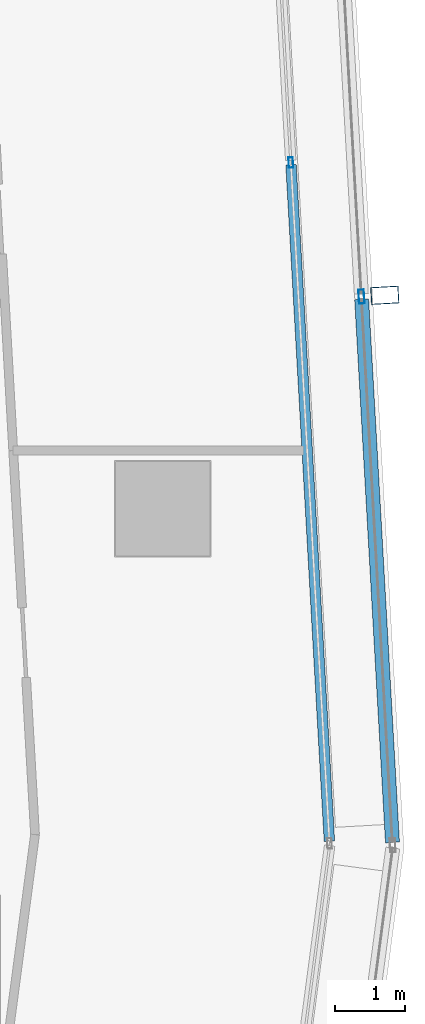
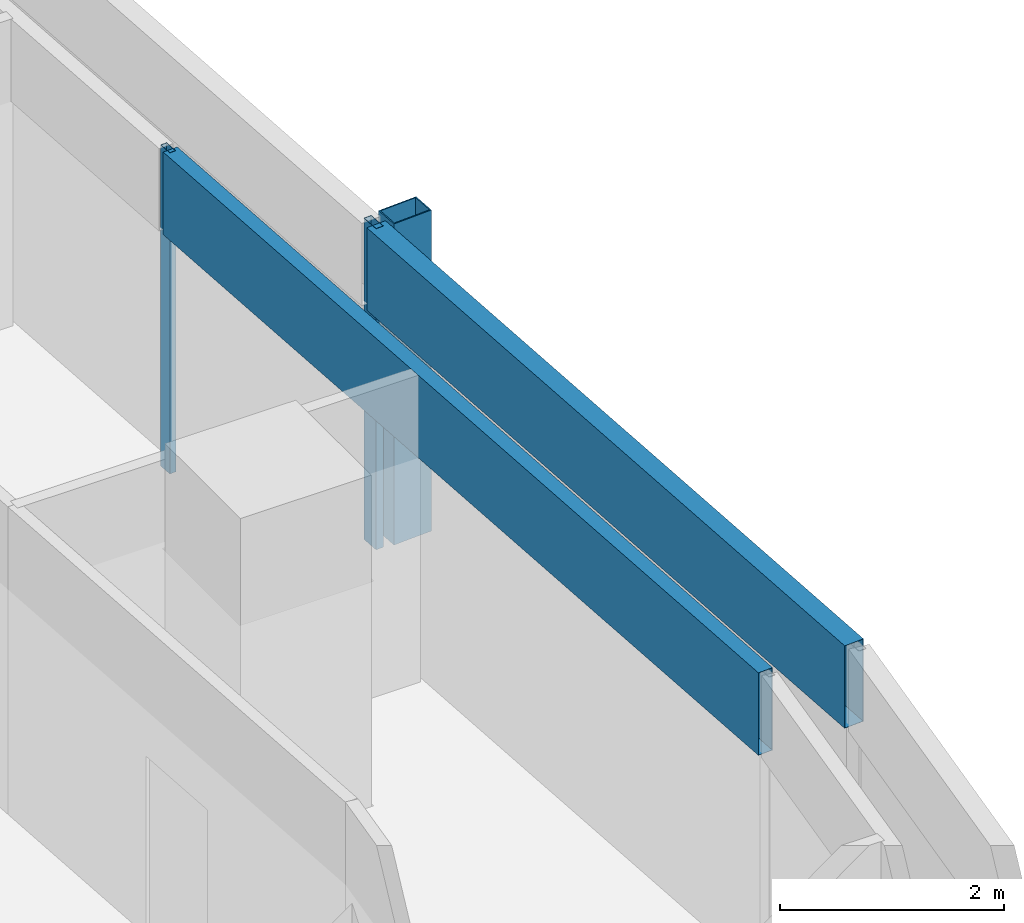
# One storey, part 14 of 38: 5 members, 2 elements without a shape of their own.
"""IFC4 building model written with IfcOpenShell, lengths in metres."""

from ifc_helpers import new_model, si_unit, direction, frame, origin, origin_2d, place, context, subcontext, project, spatial, hollow_rectangle, extrude, material, material_profile, profile_set, type_object, element, aggregate, save


model = new_model("IFC4")

# Units and contexts
model_context = context("Model", 3, precision=1e-05, world=origin(), true_north=direction((0.0, 1.0)))
body_context = subcontext(model_context, "Body", "Model", "MODEL_VIEW")
ifc_project = project(units=[si_unit("LENGTHUNIT", "METRE"), si_unit("AREAUNIT", "SQUARE_METRE"), si_unit("VOLUMEUNIT", "CUBIC_METRE"), si_unit("PLANEANGLEUNIT", "RADIAN"), si_unit("MASSUNIT", "GRAM", prefix="KILO")], contexts=[model_context])

# Site, building, storey
site_placement = place(None, origin())
site = spatial("IfcSite", under=ifc_project, at=site_placement, CompositionType="ELEMENT")
building_placement = place(site_placement, origin())
building = spatial("IfcBuilding", under=site, at=building_placement, Name="Rekha Terrace Tower", CompositionType="ELEMENT")
storey_placement = place(building_placement, frame((0.0, 0.0, 202.699951171875)))
storey = spatial("IfcBuildingStorey", under=building, at=storey_placement, Name="L51", CompositionType="ELEMENT", Elevation=202.699951171875)

# Curtain wall, member
ifc_material_1 = material(Name="Aluminium framing", Category="aluminium")
curtain_wall_type_1 = type_object("IfcCurtainWallType", Name="CW2 double skin outer glazing", PredefinedType="USERDEFINED", material=ifc_material_1)
curtain_wall_1_placement = place(storey_placement, origin())
curtain_wall_1 = element("IfcCurtainWall", 1, at=curtain_wall_1_placement, inside=storey, type_object=curtain_wall_type_1, Name="CW2 double skin outer glazing", ObjectType="DOUBLE SKIN OUTER GLAZING", PredefinedType="USERDEFINED")
ifc_material_2 = material(Name="Steel S355 with fluorocarbon finish", Category="steel")
ifc_material_profile_1 = material_profile(ifc_material_2, hollow_rectangle(XDim=0.25, YDim=0.39990234375, WallThickness=0.012451171875, at=origin_2d()), Name="RHS400x250x12.5")
ifc_profile_set_1 = profile_set([ifc_material_profile_1], Name="Steel S355 with fluorocarbon finish")
member_type_1 = type_object("IfcMemberType", Name="BL1 facade blade RHS 400 x 250", PredefinedType="USERDEFINED", material=ifc_profile_set_1)
member_1_placement = place(storey_placement, frame((61.975830078125, 36.65576171875, 0.0), z_axis=(0.0, 0.0, 1.0), x_axis=(-0.056673619809, 0.998392758797, 0.0)))
member_1 = element("IfcMember", 2, at=member_1_placement, type_object=member_type_1, Name="Facade blade", ObjectType="FACADE BLADE", PredefinedType="USERDEFINED", context=body_context, shape_type="SweptSolid", body=[
    extrude(hollow_rectangle(XDim=0.25, YDim=0.39990234375, WallThickness=0.012451171875, at=origin_2d()), origin(), (0.0, 0.0, 1.0), 3.5),
])

# Curtain wall, members
curtain_wall_type_2 = type_object("IfcCurtainWallType", Name="CW1 double skin inner glazing", PredefinedType="USERDEFINED", material=ifc_material_1)
curtain_wall_2_placement = place(storey_placement, origin())
curtain_wall_2 = element("IfcCurtainWall", 3, at=curtain_wall_2_placement, inside=storey, type_object=curtain_wall_type_2, Name="CW1 double skin inner glazing", ObjectType="DOUBLE SKIN INNER GLAZING", PredefinedType="USERDEFINED")
ifc_material_3 = material(Name="Aluminium mullion section", Category="aluminium")
ifc_material_profile_2 = material_profile(ifc_material_3, hollow_rectangle(XDim=0.06494140625, YDim=0.14990234375, WallThickness=0.00390625, at=origin_2d()), Name="AL RHS 65x150")
ifc_profile_set_2 = profile_set([ifc_material_profile_2], Name="Aluminium mullion section")
member_type_2 = type_object("IfcMemberType", Name="CW1 mullion RHS 65 x 150", PredefinedType="MULLION", material=ifc_profile_set_2)
member_2_placement = place(storey_placement, frame((60.631103515625, 38.555908203125, 0.0), z_axis=(0.0, 0.0, 1.0), x_axis=(-0.998392782919, -0.05667319486, 0.0)))
member_2 = element("IfcMember", 4, at=member_2_placement, type_object=member_type_2, Name="CW1 mullion 2", PredefinedType="MULLION", context=body_context, shape_type="SweptSolid", body=[
    extrude(hollow_rectangle(XDim=0.06494140625, YDim=0.14990234375, WallThickness=0.00390625, at=origin_2d()), origin(), (0.0, 0.0, 1.0), 3.5),
])
ifc_material_4 = material(Name="Insulated aluminium spandrel box", Category="aluminium")
ifc_material_profile_3 = material_profile(ifc_material_4, hollow_rectangle(XDim=0.14990234375, YDim=0.89990234375, WallThickness=0.0029296875, at=origin_2d()), Name="AL SPANDREL BOX 150x900")
ifc_profile_set_3 = profile_set([ifc_material_profile_3], Name="Insulated aluminium spandrel box")
member_type_3 = type_object("IfcMemberType", Name="CW1 spandrel transom 150 x 900", PredefinedType="USERDEFINED", material=ifc_profile_set_3)
member_3_placement = place(storey_placement, frame((61.182373046875, 28.8447265625, 3.050048828125), z_axis=(-0.056663932611, 0.998393308642, 0.0), x_axis=(-0.998393308642, -0.056663932611, 0.0)))
member_3 = element("IfcMember", 5, at=member_3_placement, type_object=member_type_3, Name="CW1 spandrel transom 1", ObjectType="TRANSOM", PredefinedType="USERDEFINED", context=body_context, shape_type="SweptSolid", body=[
    extrude(hollow_rectangle(XDim=0.14990234375, YDim=0.89990234375, WallThickness=0.0029296875, at=origin_2d()), origin(), (0.0, 0.0, 1.0), 9.6943359375),
])
aggregate(curtain_wall_2, [member_2, member_3])

# Member
ifc_material_profile_4 = material_profile(ifc_material_3, hollow_rectangle(XDim=0.080078125, YDim=0.199951171875, WallThickness=0.00390625, at=origin_2d()), Name="AL RHS 80x200")
ifc_profile_set_4 = profile_set([ifc_material_profile_4], Name="Aluminium mullion section")
member_type_4 = type_object("IfcMemberType", Name="CW2 mullion RHS 80 x 200", PredefinedType="MULLION", material=ifc_profile_set_4)
member_4_placement = place(storey_placement, frame((61.6416015625, 36.63671875, 0.0), z_axis=(0.0, 0.0, 1.0), x_axis=(-0.998392782919, -0.05667319486, 0.0)))
member_4 = element("IfcMember", 6, at=member_4_placement, type_object=member_type_4, Name="CW2 mullion 2", PredefinedType="MULLION", context=body_context, shape_type="SweptSolid", body=[
    extrude(hollow_rectangle(XDim=0.080078125, YDim=0.199951171875, WallThickness=0.00390625, at=origin_2d()), origin(), (0.0, 0.0, 1.0), 3.5),
])

ifc_material_profile_5 = material_profile(ifc_material_4, hollow_rectangle(XDim=0.199951171875, YDim=0.89990234375, WallThickness=0.0029296875, at=origin_2d()), Name="AL SPANDREL BOX 200x900")
ifc_profile_set_5 = profile_set([ifc_material_profile_5], Name="Insulated aluminium spandrel box")
member_type_5 = type_object("IfcMemberType", Name="CW2 spandrel transom 200 x 900", PredefinedType="USERDEFINED", material=ifc_profile_set_5)
member_5_placement = place(storey_placement, frame((62.0849609375, 28.825927734375, 3.050048828125), z_axis=(-0.05667908121, 0.998392448766, 0.0), x_axis=(-0.998392448766, -0.05667908121, 0.0)))
member_5 = element("IfcMember", 7, at=member_5_placement, type_object=member_type_5, Name="CW2 spandrel transom 1", ObjectType="TRANSOM", PredefinedType="USERDEFINED", context=body_context, shape_type="SweptSolid", body=[
    extrude(hollow_rectangle(XDim=0.199951171875, YDim=0.89990234375, WallThickness=0.0029296875, at=origin_2d()), origin(), (0.0, 0.0, 1.0), 7.783447265625),
])

aggregate(curtain_wall_1, [member_4, member_5, member_1])

save(model, "model.ifc")
